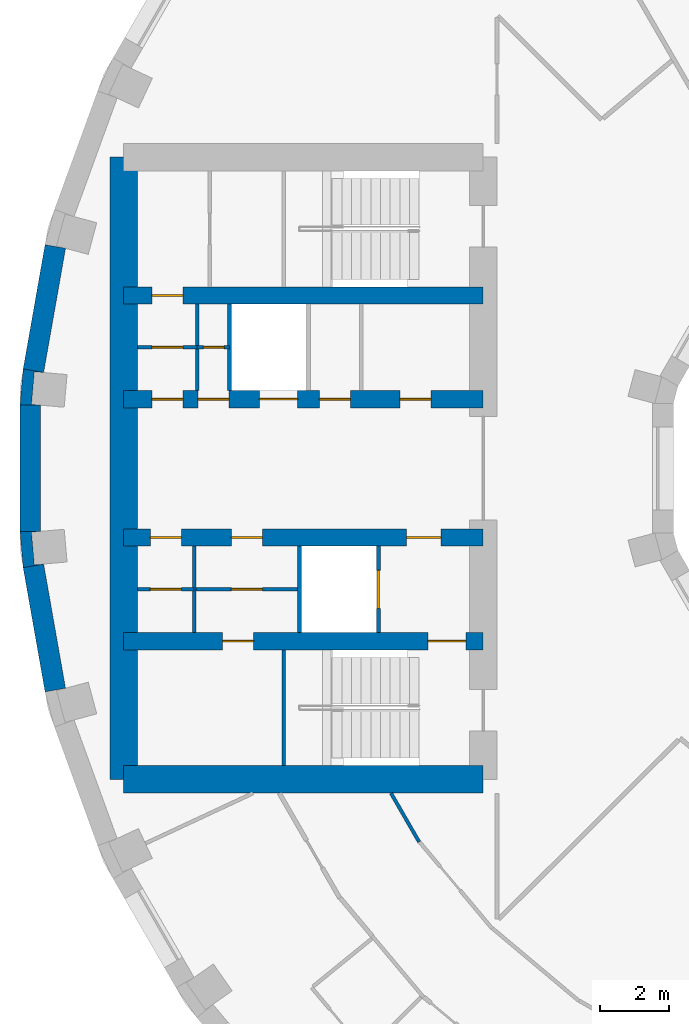
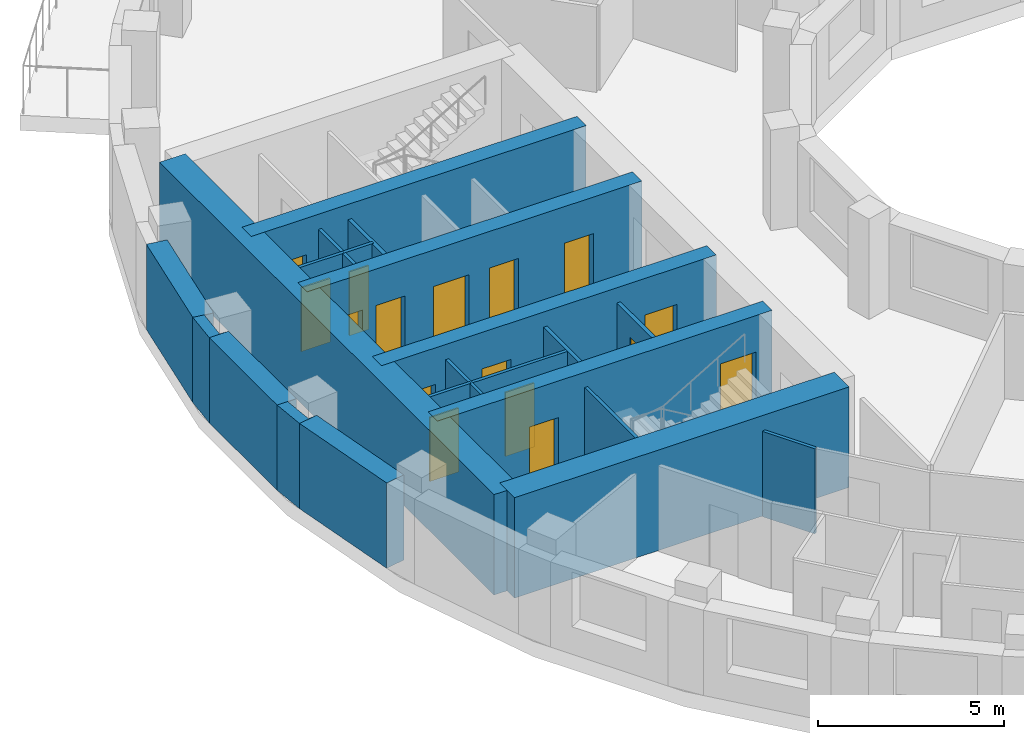
# One storey, part 6 of 14: 22 walls, 16 doors, 16 openings.
"""IFC4 building model written with IfcOpenShell, lengths in metres."""

from ifc_helpers import new_model, si_unit, direction, frame, frame_2d, origin, place, context, subcontext, project, spatial, polyline, rectangle, outline, extrude, material, layer, layer_set, type_object, element, fill, save


model = new_model("IFC4")

# Units and contexts
model_context = context("Model", 3, precision=1e-05, world=origin(), true_north=direction((0.0, 1.0)))
body_context = subcontext(model_context, "Body", "Model", "MODEL_VIEW")
ifc_project = project(units=[si_unit("LENGTHUNIT", "METRE"), si_unit("AREAUNIT", "SQUARE_METRE"), si_unit("VOLUMEUNIT", "CUBIC_METRE"), si_unit("PLANEANGLEUNIT", "RADIAN"), si_unit("MASSUNIT", "GRAM", prefix="KILO")], contexts=[model_context])

# Site, building, storey
site_placement = place(None, origin())
site = spatial("IfcSite", under=ifc_project, at=site_placement, CompositionType="ELEMENT")
building_placement = place(site_placement, origin())
building = spatial("IfcBuilding", under=site, at=building_placement, Name="Saqina Gate Tower", CompositionType="ELEMENT")
storey_placement = place(building_placement, frame((0.0, 0.0, 95.199951171875)))
storey = spatial("IfcBuildingStorey", under=building, at=storey_placement, Name="L26", CompositionType="ELEMENT", Elevation=95.199951171875)

# Walls
ifc_material_1 = material(Name="Brick masonry (buff)", Category="masonry")
wall_type_1 = type_object("IfcWallType", Name="BRICK PIER COPING BUFF", PredefinedType="SOLIDWALL", material=ifc_material_1)
wall_1_placement = place(storey_placement, origin())
element("IfcWall", 1, at=wall_1_placement, inside=storey, type_object=wall_type_1, Name="Pier cap L26 column 18", PredefinedType="SOLIDWALL", context=body_context, shape_type="SweptSolid", body=[
    extrude(outline(polyline([(-26.805419921875, 2.87451171875), (-26.897216796875, 1.823974609375), (-26.29736328125, 1.823974609375), (-26.565185546875, 1.847412109375), (-26.482421875, 2.793701171875), (-26.214599609375, 2.770263671875), (-26.805419921875, 2.87451171875)])), origin(), (0.0, 0.0, 1.0), 2.800048828125),
])
wall_2_placement = place(storey_placement, origin())
element("IfcWall", 2, at=wall_2_placement, inside=storey, type_object=wall_type_1, Name="Pier cap L26 column 19", PredefinedType="SOLIDWALL", context=body_context, shape_type="SweptSolid", body=[
    extrude(outline(polyline([(-26.805419921875, -2.87451171875), (-26.214599609375, -2.770263671875), (-26.482421875, -2.793701171875), (-26.565185546875, -1.847412109375), (-26.29736328125, -1.823974609375), (-26.897216796875, -1.823974609375), (-26.805419921875, -2.87451171875)])), origin(), (0.0, 0.0, 1.0), 2.800048828125),
])
ifc_material_2 = material(Name="Gypsum board on steel studs", Category="steel")
ifc_layer_1 = layer(ifc_material_2, 0.10009765625)
ifc_layer_set_1 = layer_set([ifc_layer_1], Name="CORE PARTITION")
wall_type_2 = type_object("IfcWallType", Name="CORE PARTITION", PredefinedType="PARTITIONING", material=ifc_layer_set_1)
for number, where, z_axis, x_axis, name in (
    (3, (-21.77099609375, 2.25, 0.0), (0.0, 0.0, 1.0), (0.0, 1.0, 0.0), "L26-CP-W04"),
    (4, (-21.8583984375, -4.75, 0.0), (0.0, 0.0, 1.0), (0.0, 1.0, 0.0), "L26-CP-W07"),
):
    element("IfcWall", number, at=place(storey_placement, frame(where, z_axis=z_axis, x_axis=x_axis)), inside=storey, type_object=wall_type_2, Name=name, PredefinedType="PARTITIONING", context=body_context, shape_type="SweptSolid", body=[
        extrude(rectangle(XDim=2.5, YDim=0.10009765625, at=frame_2d((1.25, 0.0))), origin(), (0.0, 0.0, 1.0), 2.800048828125),
    ])

# Wall, opening, door
wall_3_placement = place(storey_placement, frame((-20.840087890625, 3.5, 0.0), z_axis=(0.0, 0.0, 1.0), x_axis=(-1.0, 0.0, 0.0)))
wall_3 = element("IfcWall", 5, at=wall_3_placement, inside=storey, type_object=wall_type_2, Name="L26-CP-W08", PredefinedType="PARTITIONING", context=body_context, shape_type="SweptSolid", body=[
    extrude(rectangle(XDim=0.930908203125, YDim=0.10009765625, at=frame_2d((0.46533203125, 0.0))), origin(), (0.0, 0.0, 1.0), 2.800048828125),
])
opening_1_placement = place(wall_3_placement, frame((0.14990234375, 0.0, 0.0)))
opening_1 = element("IfcOpeningElement", 6, at=opening_1_placement, cuts=wall_3, Name="Opening G07-D141", PredefinedType="OPENING", context=body_context, shape_type="SweptSolid", body=[
    extrude(rectangle(XDim=0.60009765625, YDim=2.10009765625, at=frame_2d((0.300048828125, 1.050048828125))), frame((0.0, 0.06201171875, 0.0), z_axis=(0.0, -1.0, 0.0), x_axis=(1.0, 0.0, 0.0)), (0.0, 0.0, 1.0), 0.1240234375),
])
ifc_material_3 = material(Name="Steel-framed fire door leaf, EI 60", Category="steel")
door_type_1 = type_object("IfcDoorType", Name="SERVICE ROOM DOOR 600", OperationType="SINGLE_SWING_LEFT", PredefinedType="DOOR", material=ifc_material_3)
door_1_placement = place(opening_1_placement, origin())
door_1 = element("IfcDoor", 7, at=door_1_placement, inside=storey, type_object=door_type_1, Name="L26-CD-W26", OperationType="SINGLE_SWING_LEFT", OverallHeight=2.10009765625, OverallWidth=0.60009765625, PredefinedType="DOOR", context=body_context, shape_type="SweptSolid", body=[
    extrude(rectangle(XDim=0.60009765625, YDim=2.10009765625, at=frame_2d((0.300048828125, 1.050048828125))), frame((0.0, 0.02490234375, 0.0), z_axis=(0.0, -1.0, 0.0), x_axis=(1.0, 0.0, 0.0)), (0.0, 0.0, 1.0), 0.050048828125),
])
fill(opening_1, door_1)

wall_4_placement = place(storey_placement, frame((-21.77099609375, 3.5, 0.0), z_axis=(0.0, 0.0, 1.0), x_axis=(-1.0, 0.0, 0.0)))
wall_4 = element("IfcWall", 8, at=wall_4_placement, inside=storey, type_object=wall_type_2, Name="L26-CP-W09", PredefinedType="PARTITIONING", context=body_context, shape_type="SweptSolid", body=[
    extrude(rectangle(XDim=1.72900390625, YDim=0.10009765625, at=frame_2d((0.864501953125, 0.0))), origin(), (0.0, 0.0, 1.0), 2.800048828125),
])
opening_2_placement = place(wall_4_placement, frame((0.41455078125, 0.0, 0.0)))
opening_2 = element("IfcOpeningElement", 9, at=opening_2_placement, cuts=wall_4, Name="Opening G07-D142", PredefinedType="OPENING", context=body_context, shape_type="SweptSolid", body=[
    extrude(rectangle(XDim=0.89990234375, YDim=2.10009765625, at=frame_2d((0.449951171875, 1.050048828125))), frame((0.0, 0.06201171875, 0.0), z_axis=(0.0, -1.0, 0.0), x_axis=(1.0, 0.0, 0.0)), (0.0, 0.0, 1.0), 0.1240234375),
])
ifc_material_4 = material(Name="Steel-framed fire door leaf, EI 60", Category="steel")
door_type_2 = type_object("IfcDoorType", Name="SERVICE ROOM DOOR 900", OperationType="SINGLE_SWING_LEFT", PredefinedType="DOOR", material=ifc_material_4)
door_2_placement = place(opening_2_placement, frame((0.89990234375, 0.0, 0.0), z_axis=(0.0, 0.0, 1.0), x_axis=(-1.0, 0.0, 0.0)))
door_2 = element("IfcDoor", 10, at=door_2_placement, inside=storey, type_object=door_type_2, Name="L26-CD-W27", OperationType="SINGLE_SWING_LEFT", OverallHeight=2.10009765625, OverallWidth=0.89990234375, PredefinedType="DOOR", context=body_context, shape_type="SweptSolid", body=[
    extrude(rectangle(XDim=0.89990234375, YDim=2.10009765625, at=frame_2d((0.449951171875, 1.050048828125))), frame((0.0, 0.02490234375, 0.0), z_axis=(0.0, -1.0, 0.0), x_axis=(1.0, 0.0, 0.0)), (0.0, 0.0, 1.0), 0.050048828125),
])
fill(opening_2, door_2)

wall_5_placement = place(storey_placement, frame((-18.81005859375, -3.5, 0.0), z_axis=(0.0, 0.0, 1.0), x_axis=(-1.0, 0.0, 0.0)))
wall_5 = element("IfcWall", 11, at=wall_5_placement, inside=storey, type_object=wall_type_2, Name="L26-CP-W10", PredefinedType="PARTITIONING", context=body_context, shape_type="SweptSolid", body=[
    extrude(rectangle(XDim=3.04833984375, YDim=0.10009765625, at=frame_2d((1.524169921875, 0.0))), origin(), (0.0, 0.0, 1.0), 2.800048828125),
])
opening_3_placement = place(wall_5_placement, frame((1.07421875, 0.0, 0.0)))
opening_3 = element("IfcOpeningElement", 12, at=opening_3_placement, cuts=wall_5, Name="Opening G07-D120", PredefinedType="OPENING", context=body_context, shape_type="SweptSolid", body=[
    extrude(rectangle(XDim=0.89990234375, YDim=2.10009765625, at=frame_2d((0.449951171875, 1.050048828125))), frame((0.0, 0.06201171875, 0.0), z_axis=(0.0, -1.0, 0.0), x_axis=(1.0, 0.0, 0.0)), (0.0, 0.0, 1.0), 0.1240234375),
])
door_3_placement = place(opening_3_placement, origin())
door_3 = element("IfcDoor", 13, at=door_3_placement, inside=storey, type_object=door_type_2, Name="L26-CD-W31", OperationType="SINGLE_SWING_LEFT", OverallHeight=2.10009765625, OverallWidth=0.89990234375, PredefinedType="DOOR", context=body_context, shape_type="SweptSolid", body=[
    extrude(rectangle(XDim=0.89990234375, YDim=2.10009765625, at=frame_2d((0.449951171875, 1.050048828125))), frame((0.0, 0.02490234375, 0.0), z_axis=(0.0, -1.0, 0.0), x_axis=(1.0, 0.0, 0.0)), (0.0, 0.0, 1.0), 0.050048828125),
])
fill(opening_3, door_3)

wall_6_placement = place(storey_placement, frame((-21.8583984375, -3.5, 0.0), z_axis=(0.0, 0.0, 1.0), x_axis=(-1.0, 0.0, 0.0)))
wall_6 = element("IfcWall", 14, at=wall_6_placement, inside=storey, type_object=wall_type_2, Name="L26-CP-W11", PredefinedType="PARTITIONING", context=body_context, shape_type="SweptSolid", body=[
    extrude(rectangle(XDim=1.6416015625, YDim=0.10009765625, at=frame_2d((0.82080078125, 0.0))), origin(), (0.0, 0.0, 1.0), 2.800048828125),
])
opening_4_placement = place(wall_6_placement, frame((0.370849609375, 0.0, 0.0)))
opening_4 = element("IfcOpeningElement", 15, at=opening_4_placement, cuts=wall_6, Name="Opening G07-D145", PredefinedType="OPENING", context=body_context, shape_type="SweptSolid", body=[
    extrude(rectangle(XDim=0.89990234375, YDim=2.10009765625, at=frame_2d((0.449951171875, 1.050048828125))), frame((0.0, 0.06201171875, 0.0), z_axis=(0.0, -1.0, 0.0), x_axis=(1.0, 0.0, 0.0)), (0.0, 0.0, 1.0), 0.1240234375),
])
door_4_placement = place(opening_4_placement, origin())
door_4 = element("IfcDoor", 16, at=door_4_placement, inside=storey, type_object=door_type_2, Name="L26-CD-W30", OperationType="SINGLE_SWING_RIGHT", OverallHeight=2.10009765625, OverallWidth=0.89990234375, PredefinedType="DOOR", context=body_context, shape_type="SweptSolid", body=[
    extrude(rectangle(XDim=0.89990234375, YDim=2.10009765625, at=frame_2d((0.449951171875, 1.050048828125))), frame((0.0, 0.02490234375, 0.0), z_axis=(0.0, -1.0, 0.0), x_axis=(1.0, 0.0, 0.0)), (0.0, 0.0, 1.0), 0.050048828125),
])
fill(opening_4, door_4)

# Walls
ifc_material_5 = material(Name="Glazed ceramic tile", Category="ceramic")
ifc_layer_2 = layer(ifc_material_5, 0.60009765625)
ifc_layer_set_2 = layer_set([ifc_layer_2], Name="FW-TILE")
wall_type_3 = type_object("IfcWallType", Name="FW-TILE", PredefinedType="SOLIDWALL", material=ifc_layer_set_2)
for number, where, z_axis, x_axis, name in (
    (17, (-25.87646484375, 6.414794921875, 0.0), (0.0, 0.0, 1.0), (-0.173670796382, -0.984803764455, 0.0), "Facade wall L26 facet 17"),
    (18, (-26.510009765625, -2.822265625, 0.0), (0.0, 0.0, 1.0), (0.173670796382, -0.984803764455, 0.0), "Facade wall L26 facet 19"),
):
    element("IfcWall", number, at=place(storey_placement, frame(where, z_axis=z_axis, x_axis=x_axis)), inside=storey, type_object=wall_type_3, Name=name, PredefinedType="SOLIDWALL", context=body_context, shape_type="SweptSolid", body=[
        extrude(rectangle(XDim=3.64794921875, YDim=0.60009765625, at=frame_2d((1.823974609375, 0.0))), origin(), (0.0, 0.0, 1.0), 2.800048828125),
    ])
ifc_material_6 = material(Name="Glazed ceramic tile (white)", Category="ceramic")
ifc_layer_3 = layer(ifc_material_6, 0.60009765625)
ifc_layer_set_3 = layer_set([ifc_layer_3], Name="FW-TILE-WH")
wall_type_4 = type_object("IfcWallType", Name="FW-TILE-WH", PredefinedType="SOLIDWALL", material=ifc_layer_set_3)
wall_7_placement = place(storey_placement, frame((-26.59716796875, 1.823974609375, 0.0), z_axis=(0.0, 0.0, 1.0), x_axis=(0.0, -1.0, 0.0)))
element("IfcWall", 19, at=wall_7_placement, inside=storey, type_object=wall_type_4, Name="Facade wall L26 facet 18", PredefinedType="SOLIDWALL", context=body_context, shape_type="SweptSolid", body=[
    extrude(rectangle(XDim=3.64794921875, YDim=0.60009765625, at=frame_2d((1.823974609375, 0.0))), origin(), (0.0, 0.0, 1.0), 2.800048828125),
])
ifc_material_7 = material(Name="Gypsum board on steel studs, 100 mm", Category="steel")
ifc_layer_4 = layer(ifc_material_7, 0.10009765625)
ifc_layer_set_4 = layer_set([ifc_layer_4], Name="PARTITION 100")
wall_type_5 = type_object("IfcWallType", Name="PARTITION 100", PredefinedType="PARTITIONING", material=ifc_layer_set_4)
wall_8_placement = place(storey_placement, frame((-16.1640625, -9.39990234375, 0.0), z_axis=(0.0, 0.0, 1.0), x_axis=(0.499687832671, -0.866205558676, 0.0)))
element("IfcWall", 20, at=wall_8_placement, inside=storey, type_object=wall_type_5, Name="PARTITION PW3-10", PredefinedType="PARTITIONING", context=body_context, shape_type="SweptSolid", body=[
    extrude(rectangle(XDim=1.6279296875, YDim=0.10009765625, at=frame_2d((0.81396484375, 0.0))), origin(), (0.0, 0.0, 1.0), 2.800048828125),
])
ifc_material_8 = material(Name="Autoclaved aerated concrete block", Category="concrete")
ifc_layer_5 = layer(ifc_material_8, 0.1201171875)
ifc_layer_set_5 = layer_set([ifc_layer_5], Name="SHAFT PARTITION")
wall_type_6 = type_object("IfcWallType", Name="SHAFT PARTITION", PredefinedType="PARTITIONING", material=ifc_layer_set_5)
wall_9_placement = place(storey_placement, frame((-20.840087890625, 2.25, 0.0), z_axis=(0.0, 0.0, 1.0), x_axis=(0.0, 1.0, 0.0)))
element("IfcWall", 21, at=wall_9_placement, inside=storey, type_object=wall_type_6, Name="L26-CP-W03", PredefinedType="PARTITIONING", context=body_context, shape_type="SweptSolid", body=[
    extrude(rectangle(XDim=2.5, YDim=0.1201171875, at=frame_2d((1.25, 0.0))), origin(), (0.0, 0.0, 1.0), 2.800048828125),
])

# Wall, opening, door
wall_10_placement = place(storey_placement, frame((-16.530029296875, -4.75, 0.0), z_axis=(0.0, 0.0, 1.0), x_axis=(0.0, 1.0, 0.0)))
wall_10 = element("IfcWall", 22, at=wall_10_placement, inside=storey, type_object=wall_type_6, Name="L26-CP-W05", PredefinedType="PARTITIONING", context=body_context, shape_type="SweptSolid", body=[
    extrude(rectangle(XDim=2.5, YDim=0.1201171875, at=frame_2d((1.25, 0.0))), origin(), (0.0, 0.0, 1.0), 2.800048828125),
])
opening_5_placement = place(wall_10_placement, frame((0.699951171875, 0.0, 0.0)))
opening_5 = element("IfcOpeningElement", 23, at=opening_5_placement, cuts=wall_10, Name="Opening G07-LD4", PredefinedType="OPENING", context=body_context, shape_type="SweptSolid", body=[
    extrude(rectangle(XDim=1.10009765625, YDim=2.10009765625, at=frame_2d((0.550048828125, 1.050048828125))), frame((0.0, 0.072021484375, 0.0), z_axis=(0.0, -1.0, 0.0), x_axis=(1.0, 0.0, 0.0)), (0.0, 0.0, 1.0), 0.14404296875),
])
ifc_material_9 = material(Name="Stainless steel", Category="steel")
door_type_3 = type_object("IfcDoorType", Name="LANDING DOOR", OperationType="DOUBLE_DOOR_SLIDING", PredefinedType="DOOR", material=ifc_material_9)
door_5_placement = place(opening_5_placement, origin())
door_5 = element("IfcDoor", 24, at=door_5_placement, inside=storey, type_object=door_type_3, Name="LANDING DOOR FF2", OperationType="DOUBLE_DOOR_SLIDING", OverallHeight=2.10009765625, OverallWidth=1.10009765625, PredefinedType="DOOR", context=body_context, shape_type="SweptSolid", body=[
    extrude(rectangle(XDim=1.10009765625, YDim=2.10009765625, at=frame_2d((0.550048828125, 1.050048828125))), frame((0.0, 0.02490234375, 0.0), z_axis=(0.0, -1.0, 0.0), x_axis=(1.0, 0.0, 0.0)), (0.0, 0.0, 1.0), 0.050048828125),
])
fill(opening_5, door_5)

# Walls
wall_11_placement = place(storey_placement, frame((-18.81005859375, -4.75, 0.0), z_axis=(0.0, 0.0, 1.0), x_axis=(0.0, 1.0, 0.0)))
element("IfcWall", 25, at=wall_11_placement, inside=storey, type_object=wall_type_6, Name="L26-CP-W06", PredefinedType="PARTITIONING", context=body_context, shape_type="SweptSolid", body=[
    extrude(rectangle(XDim=2.5, YDim=0.1201171875, at=frame_2d((1.25, 0.0))), origin(), (0.0, 0.0, 1.0), 2.800048828125),
])
ifc_material_10 = material(Name="Autoclaved aerated concrete block", Category="concrete")
ifc_layer_6 = layer(ifc_material_10, 0.10009765625)
ifc_layer_set_6 = layer_set([ifc_layer_6], Name="STAIR ENCLOSURE WALL")
wall_type_7 = type_object("IfcWallType", Name="STAIR ENCLOSURE WALL", PredefinedType="PARTITIONING", material=ifc_layer_set_6)
wall_12_placement = place(storey_placement, frame((-19.27001953125, -8.60009765625, 0.0), z_axis=(0.0, 0.0, 1.0), x_axis=(0.0, 1.0, 0.0)))
element("IfcWall", 26, at=wall_12_placement, inside=storey, type_object=wall_type_7, Name="L26-CP-W14", PredefinedType="PARTITIONING", context=body_context, shape_type="SweptSolid", body=[
    extrude(rectangle(XDim=3.35009765625, YDim=0.10009765625, at=frame_2d((1.675048828125, 0.0))), origin(), (0.0, 0.0, 1.0), 2.800048828125),
])

# Wall, opening, door
ifc_material_11 = material(Name="Concrete C70/85", Category="concrete")
ifc_layer_7 = layer(ifc_material_11, 0.5)
ifc_layer_set_7 = layer_set([ifc_layer_7], Name="Concrete C70/85")
wall_type_8 = type_object("IfcWallType", Name="STR-CORE WALL-B-I", PredefinedType="SHEAR", material=ifc_layer_set_7)
wall_13_placement = place(storey_placement, frame((-13.5, 5.0, 0.0), z_axis=(0.0, 0.0, 1.0), x_axis=(-1.0, 0.0, 0.0)))
wall_13 = element("IfcWall", 27, at=wall_13_placement, inside=storey, type_object=wall_type_8, Name="CORE WALL L26 W-X1", PredefinedType="SHEAR", context=body_context, shape_type="SweptSolid", body=[
    extrude(rectangle(XDim=10.39990234375, YDim=0.5, at=frame_2d((5.199951171875, 0.0))), origin(), (0.0, 0.0, 1.0), 3.300048828125),
])
opening_6_placement = place(wall_13_placement, frame((8.685546875, 0.0, 0.0)))
opening_6 = element("IfcOpeningElement", 28, at=opening_6_placement, cuts=wall_13, Name="Opening G07-D144", PredefinedType="OPENING", context=body_context, shape_type="SweptSolid", body=[
    extrude(rectangle(XDim=0.89990234375, YDim=2.10009765625, at=frame_2d((0.449951171875, 1.050048828125))), frame((0.0, 0.261962890625, 0.0), z_axis=(0.0, -1.0, 0.0), x_axis=(1.0, 0.0, 0.0)), (0.0, 0.0, 1.0), 0.52392578125),
])
door_6_placement = place(opening_6_placement, frame((0.89990234375, 0.0, 0.0), z_axis=(0.0, 0.0, 1.0), x_axis=(-1.0, 0.0, 0.0)))
door_6 = element("IfcDoor", 29, at=door_6_placement, inside=storey, type_object=door_type_2, Name="L26-CD-W29", OperationType="SINGLE_SWING_LEFT", OverallHeight=2.10009765625, OverallWidth=0.89990234375, PredefinedType="DOOR", context=body_context, shape_type="SweptSolid", body=[
    extrude(rectangle(XDim=0.89990234375, YDim=2.10009765625, at=frame_2d((0.449951171875, 1.050048828125))), frame((0.0, 0.02490234375, 0.0), z_axis=(0.0, -1.0, 0.0), x_axis=(1.0, 0.0, 0.0)), (0.0, 0.0, 1.0), 0.050048828125),
])
fill(opening_6, door_6)

# Wall, openings, doors
wall_14_placement = place(storey_placement, frame((-13.5, -5.0, 0.0), z_axis=(0.0, 0.0, 1.0), x_axis=(-1.0, 0.0, 0.0)))
wall_14 = element("IfcWall", 30, at=wall_14_placement, inside=storey, type_object=wall_type_8, Name="CORE WALL L26 W-X2", PredefinedType="SHEAR", context=body_context, shape_type="SweptSolid", body=[
    extrude(rectangle(XDim=10.39990234375, YDim=0.5, at=frame_2d((5.199951171875, 0.0))), origin(), (0.0, 0.0, 1.0), 3.300048828125),
])
opening_7_placement = place(wall_14_placement, frame((6.63916015625, 0.0, 0.0)))
opening_7 = element("IfcOpeningElement", 31, at=opening_7_placement, cuts=wall_14, Name="Opening G07-D121", PredefinedType="OPENING", context=body_context, shape_type="SweptSolid", body=[
    extrude(rectangle(XDim=0.89990234375, YDim=2.10009765625, at=frame_2d((0.449951171875, 1.050048828125))), frame((0.0, 0.261962890625, 0.0), z_axis=(0.0, -1.0, 0.0), x_axis=(1.0, 0.0, 0.0)), (0.0, 0.0, 1.0), 0.52392578125),
])
opening_8_placement = place(wall_14_placement, frame((0.5, 0.0, 0.0)))
opening_8 = element("IfcOpeningElement", 32, at=opening_8_placement, cuts=wall_14, Name="Opening G07-D122", PredefinedType="OPENING", context=body_context, shape_type="SweptSolid", body=[
    extrude(rectangle(XDim=1.10009765625, YDim=2.10009765625, at=frame_2d((0.550048828125, 1.050048828125))), frame((0.0, 0.261962890625, 0.0), z_axis=(0.0, -1.0, 0.0), x_axis=(1.0, 0.0, 0.0)), (0.0, 0.0, 1.0), 0.52392578125),
])
ifc_material_12 = material(Name="Steel", Category="steel")
door_type_4 = type_object("IfcDoorType", Name="FIRE LOBBY DOOR EI 60 WIDE", OperationType="SINGLE_SWING_LEFT", PredefinedType="DOOR", material=ifc_material_12)
door_7_placement = place(opening_8_placement, origin())
door_7 = element("IfcDoor", 33, at=door_7_placement, inside=storey, type_object=door_type_4, Name="L26-CD-W33", OperationType="SINGLE_SWING_LEFT", OverallHeight=2.10009765625, OverallWidth=1.10009765625, PredefinedType="DOOR", context=body_context, shape_type="SweptSolid", body=[
    extrude(rectangle(XDim=1.10009765625, YDim=2.10009765625, at=frame_2d((0.550048828125, 1.050048828125))), frame((0.0, 0.02490234375, 0.0), z_axis=(0.0, -1.0, 0.0), x_axis=(1.0, 0.0, 0.0)), (0.0, 0.0, 1.0), 0.050048828125),
])
fill(opening_8, door_7)
door_8_placement = place(opening_7_placement, origin())
door_8 = element("IfcDoor", 34, at=door_8_placement, inside=storey, type_object=door_type_2, Name="L26-CD-W32", OperationType="SINGLE_SWING_RIGHT", OverallHeight=2.10009765625, OverallWidth=0.89990234375, PredefinedType="DOOR", context=body_context, shape_type="SweptSolid", body=[
    extrude(rectangle(XDim=0.89990234375, YDim=2.10009765625, at=frame_2d((0.449951171875, 1.050048828125))), frame((0.0, 0.02490234375, 0.0), z_axis=(0.0, -1.0, 0.0), x_axis=(1.0, 0.0, 0.0)), (0.0, 0.0, 1.0), 0.050048828125),
])
fill(opening_7, door_8)

wall_15_placement = place(storey_placement, frame((-13.5, 2.0, 0.0), z_axis=(0.0, 0.0, 1.0), x_axis=(-1.0, 0.0, 0.0)))
wall_15 = element("IfcWall", 35, at=wall_15_placement, inside=storey, type_object=wall_type_8, Name="CORE WALL L26 W-L1", PredefinedType="SHEAR", context=body_context, shape_type="SweptSolid", body=[
    extrude(rectangle(XDim=10.39990234375, YDim=0.5, at=frame_2d((5.199951171875, 0.0))), origin(), (0.0, 0.0, 1.0), 3.300048828125),
])
opening_9_placement = place(wall_15_placement, frame((5.3701171875, 0.0, 0.0)))
opening_9 = element("IfcOpeningElement", 36, at=opening_9_placement, cuts=wall_15, Name="Opening G07-LD3", PredefinedType="OPENING", context=body_context, shape_type="SweptSolid", body=[
    extrude(rectangle(XDim=1.10009765625, YDim=2.10009765625, at=frame_2d((0.550048828125, 1.050048828125))), frame((0.0, 0.261962890625, 0.0), z_axis=(0.0, -1.0, 0.0), x_axis=(1.0, 0.0, 0.0)), (0.0, 0.0, 1.0), 0.52392578125),
])
opening_10_placement = place(wall_15_placement, frame((1.510986328125, 0.0, 0.0)))
opening_10 = element("IfcOpeningElement", 37, at=opening_10_placement, cuts=wall_15, Name="Opening G07-D105", PredefinedType="OPENING", context=body_context, shape_type="SweptSolid", body=[
    extrude(rectangle(XDim=0.89990234375, YDim=2.10009765625, at=frame_2d((0.449951171875, 1.050048828125))), frame((0.0, 0.261962890625, 0.0), z_axis=(0.0, -1.0, 0.0), x_axis=(1.0, 0.0, 0.0)), (0.0, 0.0, 1.0), 0.52392578125),
])
opening_11_placement = place(wall_15_placement, frame((3.841064453125, 0.0, 0.0)))
opening_11 = element("IfcOpeningElement", 38, at=opening_11_placement, cuts=wall_15, Name="Opening G07-D106", PredefinedType="OPENING", context=body_context, shape_type="SweptSolid", body=[
    extrude(rectangle(XDim=0.89990234375, YDim=2.10009765625, at=frame_2d((0.449951171875, 1.050048828125))), frame((0.0, 0.261962890625, 0.0), z_axis=(0.0, -1.0, 0.0), x_axis=(1.0, 0.0, 0.0)), (0.0, 0.0, 1.0), 0.52392578125),
])
opening_12_placement = place(wall_15_placement, frame((7.35546875, 0.0, 0.0)))
opening_12 = element("IfcOpeningElement", 39, at=opening_12_placement, cuts=wall_15, Name="Opening G07-D137", PredefinedType="OPENING", context=body_context, shape_type="SweptSolid", body=[
    extrude(rectangle(XDim=0.89990234375, YDim=2.10009765625, at=frame_2d((0.449951171875, 1.050048828125))), frame((0.0, 0.261962890625, 0.0), z_axis=(0.0, -1.0, 0.0), x_axis=(1.0, 0.0, 0.0)), (0.0, 0.0, 1.0), 0.52392578125),
])
opening_13_placement = place(wall_15_placement, frame((8.685546875, 0.0, 0.0)))
opening_13 = element("IfcOpeningElement", 40, at=opening_13_placement, cuts=wall_15, Name="Opening G07-D138", PredefinedType="OPENING", context=body_context, shape_type="SweptSolid", body=[
    extrude(rectangle(XDim=0.89990234375, YDim=2.10009765625, at=frame_2d((0.449951171875, 1.050048828125))), frame((0.0, 0.261962890625, 0.0), z_axis=(0.0, -1.0, 0.0), x_axis=(1.0, 0.0, 0.0)), (0.0, 0.0, 1.0), 0.52392578125),
])
door_9_placement = place(opening_9_placement, origin())
door_9 = element("IfcDoor", 41, at=door_9_placement, inside=storey, type_object=door_type_3, Name="LANDING DOOR MR2", OperationType="DOUBLE_DOOR_SLIDING", OverallHeight=2.10009765625, OverallWidth=1.10009765625, PredefinedType="DOOR", context=body_context, shape_type="SweptSolid", body=[
    extrude(rectangle(XDim=1.10009765625, YDim=2.10009765625, at=frame_2d((0.550048828125, 1.050048828125))), frame((0.0, 0.02490234375, 0.0), z_axis=(0.0, -1.0, 0.0), x_axis=(1.0, 0.0, 0.0)), (0.0, 0.0, 1.0), 0.050048828125),
])
fill(opening_9, door_9)
door_10_placement = place(opening_10_placement, frame((0.89990234375, 0.0, 0.0), z_axis=(0.0, 0.0, 1.0), x_axis=(-1.0, 0.0, 0.0)))
door_10 = element("IfcDoor", 42, at=door_10_placement, inside=storey, type_object=door_type_2, Name="L26-CD-W19", OperationType="SINGLE_SWING_RIGHT", OverallHeight=2.10009765625, OverallWidth=0.89990234375, PredefinedType="DOOR", context=body_context, shape_type="SweptSolid", body=[
    extrude(rectangle(XDim=0.89990234375, YDim=2.10009765625, at=frame_2d((0.449951171875, 1.050048828125))), frame((0.0, 0.02490234375, 0.0), z_axis=(0.0, -1.0, 0.0), x_axis=(1.0, 0.0, 0.0)), (0.0, 0.0, 1.0), 0.050048828125),
])
fill(opening_10, door_10)
door_11_placement = place(opening_11_placement, frame((0.89990234375, 0.0, 0.0), z_axis=(0.0, 0.0, 1.0), x_axis=(-1.0, 0.0, 0.0)))
door_11 = element("IfcDoor", 43, at=door_11_placement, inside=storey, type_object=door_type_2, Name="L26-CD-W20", OperationType="SINGLE_SWING_LEFT", OverallHeight=2.10009765625, OverallWidth=0.89990234375, PredefinedType="DOOR", context=body_context, shape_type="SweptSolid", body=[
    extrude(rectangle(XDim=0.89990234375, YDim=2.10009765625, at=frame_2d((0.449951171875, 1.050048828125))), frame((0.0, 0.02490234375, 0.0), z_axis=(0.0, -1.0, 0.0), x_axis=(1.0, 0.0, 0.0)), (0.0, 0.0, 1.0), 0.050048828125),
])
fill(opening_11, door_11)
door_12_placement = place(opening_12_placement, frame((0.89990234375, 0.0, 0.0), z_axis=(0.0, 0.0, 1.0), x_axis=(-1.0, 0.0, 0.0)))
door_12 = element("IfcDoor", 44, at=door_12_placement, inside=storey, type_object=door_type_2, Name="L26-CD-W21", OperationType="SINGLE_SWING_RIGHT", OverallHeight=2.10009765625, OverallWidth=0.89990234375, PredefinedType="DOOR", context=body_context, shape_type="SweptSolid", body=[
    extrude(rectangle(XDim=0.89990234375, YDim=2.10009765625, at=frame_2d((0.449951171875, 1.050048828125))), frame((0.0, 0.02490234375, 0.0), z_axis=(0.0, -1.0, 0.0), x_axis=(1.0, 0.0, 0.0)), (0.0, 0.0, 1.0), 0.050048828125),
])
fill(opening_12, door_12)
door_13_placement = place(opening_13_placement, frame((0.89990234375, 0.0, 0.0), z_axis=(0.0, 0.0, 1.0), x_axis=(-1.0, 0.0, 0.0)))
door_13 = element("IfcDoor", 45, at=door_13_placement, inside=storey, type_object=door_type_2, Name="L26-CD-W22", OperationType="SINGLE_SWING_LEFT", OverallHeight=2.10009765625, OverallWidth=0.89990234375, PredefinedType="DOOR", context=body_context, shape_type="SweptSolid", body=[
    extrude(rectangle(XDim=0.89990234375, YDim=2.10009765625, at=frame_2d((0.449951171875, 1.050048828125))), frame((0.0, 0.02490234375, 0.0), z_axis=(0.0, -1.0, 0.0), x_axis=(1.0, 0.0, 0.0)), (0.0, 0.0, 1.0), 0.050048828125),
])
fill(opening_13, door_13)

wall_16_placement = place(storey_placement, frame((-13.5, -2.0, 0.0), z_axis=(0.0, 0.0, 1.0), x_axis=(-1.0, 0.0, 0.0)))
wall_16 = element("IfcWall", 46, at=wall_16_placement, inside=storey, type_object=wall_type_8, Name="CORE WALL L26 W-L2", PredefinedType="SHEAR", context=body_context, shape_type="SweptSolid", body=[
    extrude(rectangle(XDim=10.39990234375, YDim=0.5, at=frame_2d((5.199951171875, 0.0))), origin(), (0.0, 0.0, 1.0), 3.300048828125),
])
opening_14_placement = place(wall_16_placement, frame((1.215087890625, 0.0, 0.0)))
opening_14 = element("IfcOpeningElement", 47, at=opening_14_placement, cuts=wall_16, Name="Opening G07-D109", PredefinedType="OPENING", context=body_context, shape_type="SweptSolid", body=[
    extrude(rectangle(XDim=1.0, YDim=2.10009765625, at=frame_2d((0.5, 1.050048828125))), frame((0.0, 0.261962890625, 0.0), z_axis=(0.0, -1.0, 0.0), x_axis=(1.0, 0.0, 0.0)), (0.0, 0.0, 1.0), 0.52392578125),
])
opening_15_placement = place(wall_16_placement, frame((6.38427734375, 0.0, 0.0)))
opening_15 = element("IfcOpeningElement", 48, at=opening_15_placement, cuts=wall_16, Name="Opening G07-D139", PredefinedType="OPENING", context=body_context, shape_type="SweptSolid", body=[
    extrude(rectangle(XDim=0.89990234375, YDim=2.10009765625, at=frame_2d((0.449951171875, 1.050048828125))), frame((0.0, 0.261962890625, 0.0), z_axis=(0.0, -1.0, 0.0), x_axis=(1.0, 0.0, 0.0)), (0.0, 0.0, 1.0), 0.52392578125),
])
opening_16_placement = place(wall_16_placement, frame((8.729248046875, 0.0, 0.0)))
opening_16 = element("IfcOpeningElement", 49, at=opening_16_placement, cuts=wall_16, Name="Opening G07-D140", PredefinedType="OPENING", context=body_context, shape_type="SweptSolid", body=[
    extrude(rectangle(XDim=0.89990234375, YDim=2.10009765625, at=frame_2d((0.449951171875, 1.050048828125))), frame((0.0, 0.261962890625, 0.0), z_axis=(0.0, -1.0, 0.0), x_axis=(1.0, 0.0, 0.0)), (0.0, 0.0, 1.0), 0.52392578125),
])
ifc_material_13 = material(Name="Steel", Category="steel")
door_type_5 = type_object("IfcDoorType", Name="FIRE LOBBY DOOR EI 60", OperationType="SINGLE_SWING_LEFT", PredefinedType="DOOR", material=ifc_material_13)
door_14_placement = place(opening_14_placement, frame((1.0, 0.0, 0.0), z_axis=(0.0, 0.0, 1.0), x_axis=(-1.0, 0.0, 0.0)))
door_14 = element("IfcDoor", 50, at=door_14_placement, inside=storey, type_object=door_type_5, Name="L26-CD-W23", OperationType="SINGLE_SWING_RIGHT", OverallHeight=2.10009765625, OverallWidth=1.0, PredefinedType="DOOR", context=body_context, shape_type="SweptSolid", body=[
    extrude(rectangle(XDim=1.0, YDim=2.10009765625, at=frame_2d((0.5, 1.050048828125))), frame((0.0, 0.02490234375, 0.0), z_axis=(0.0, -1.0, 0.0), x_axis=(1.0, 0.0, 0.0)), (0.0, 0.0, 1.0), 0.050048828125),
])
fill(opening_14, door_14)
door_15_placement = place(opening_15_placement, origin())
door_15 = element("IfcDoor", 51, at=door_15_placement, inside=storey, type_object=door_type_2, Name="L26-CD-W24", OperationType="SINGLE_SWING_RIGHT", OverallHeight=2.10009765625, OverallWidth=0.89990234375, PredefinedType="DOOR", context=body_context, shape_type="SweptSolid", body=[
    extrude(rectangle(XDim=0.89990234375, YDim=2.10009765625, at=frame_2d((0.449951171875, 1.050048828125))), frame((0.0, 0.02490234375, 0.0), z_axis=(0.0, -1.0, 0.0), x_axis=(1.0, 0.0, 0.0)), (0.0, 0.0, 1.0), 0.050048828125),
])
fill(opening_15, door_15)
door_16_placement = place(opening_16_placement, origin())
door_16 = element("IfcDoor", 52, at=door_16_placement, inside=storey, type_object=door_type_2, Name="L26-CD-W25", OperationType="SINGLE_SWING_RIGHT", OverallHeight=2.10009765625, OverallWidth=0.89990234375, PredefinedType="DOOR", context=body_context, shape_type="SweptSolid", body=[
    extrude(rectangle(XDim=0.89990234375, YDim=2.10009765625, at=frame_2d((0.449951171875, 1.050048828125))), frame((0.0, 0.02490234375, 0.0), z_axis=(0.0, -1.0, 0.0), x_axis=(1.0, 0.0, 0.0)), (0.0, 0.0, 1.0), 0.050048828125),
])
fill(opening_16, door_16)

# Walls
ifc_material_14 = material(Name="Concrete C70/85", Category="concrete")
ifc_layer_8 = layer(ifc_material_14, 0.800048828125)
ifc_layer_set_8 = layer_set([ifc_layer_8], Name="Concrete C70/85")
wall_type_9 = type_object("IfcWallType", Name="STR-CORE WALL-B-O", PredefinedType="SHEAR", material=ifc_layer_set_8)
wall_17_placement = place(storey_placement, frame((-23.89990234375, -9.0, 0.0), z_axis=(0.0, 0.0, 1.0), x_axis=(0.0, 1.0, 0.0)))
element("IfcWall", 53, at=wall_17_placement, inside=storey, type_object=wall_type_9, Name="CORE WALL L26 W-W2", PredefinedType="SHEAR", context=body_context, shape_type="SweptSolid", body=[
    extrude(rectangle(XDim=18.0, YDim=0.800048828125, at=frame_2d((9.0, 0.0))), origin(), (0.0, 0.0, 1.0), 3.300048828125),
])
wall_18_placement = place(storey_placement, frame((-13.5, -9.0, 0.0), z_axis=(0.0, 0.0, 1.0), x_axis=(-1.0, 0.0, 0.0)))
element("IfcWall", 54, at=wall_18_placement, inside=storey, type_object=wall_type_9, Name="CORE WALL L26 W-SE", PredefinedType="SHEAR", context=body_context, shape_type="SweptSolid", body=[
    extrude(rectangle(XDim=10.39990234375, YDim=0.800048828125, at=frame_2d((5.199951171875, 0.0))), origin(), (0.0, 0.0, 1.0), 3.300048828125),
])

save(model, "model.ifc")
